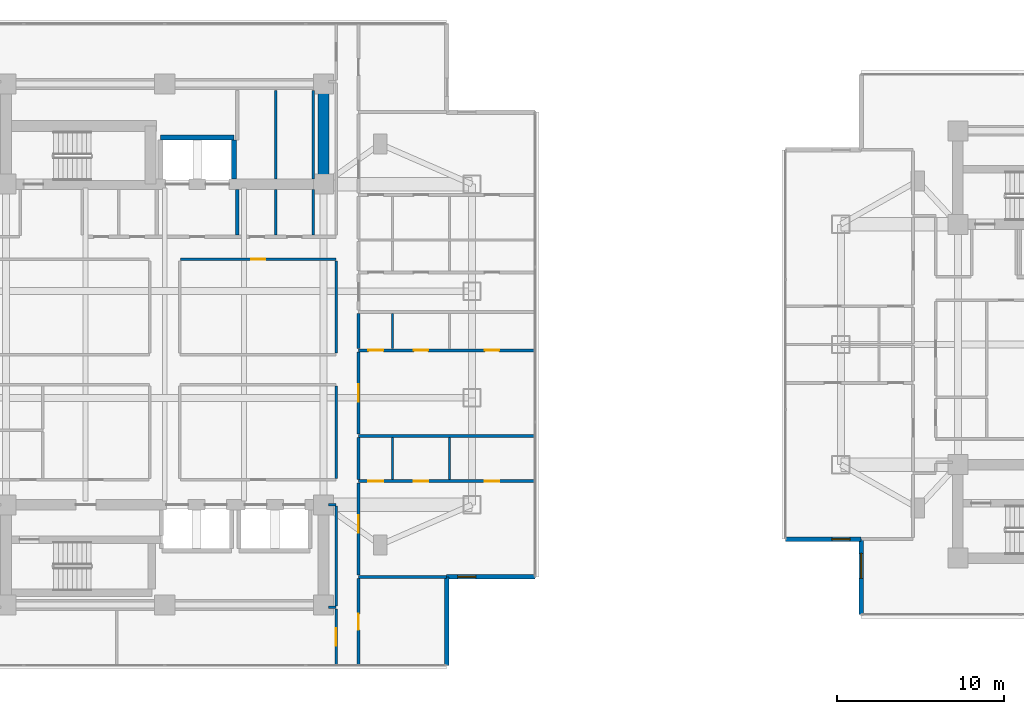
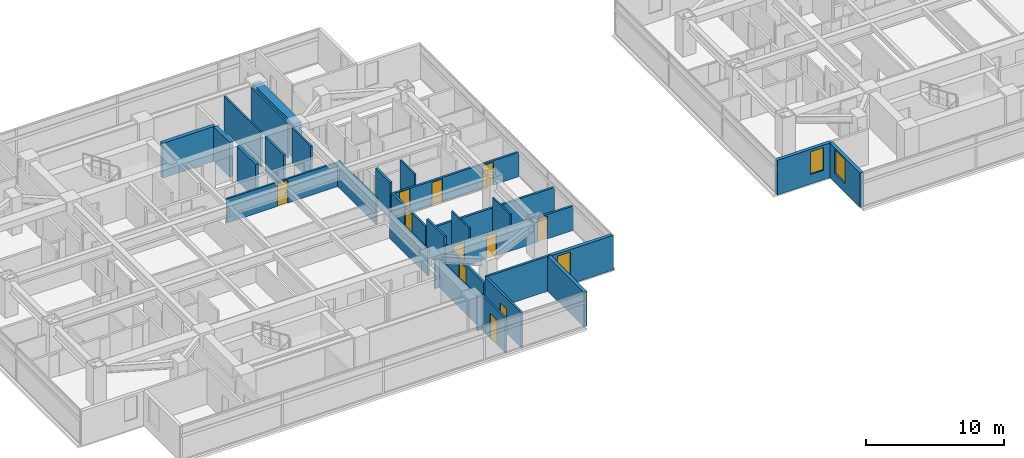
# One storey, part 15 of 25: 31 walls, 11 doors, 3 windows, 14 openings.
"""IFC4 building model written with IfcOpenShell, lengths in metres."""

from ifc_helpers import new_model, si_unit, direction, frame, frame_2d, origin, place, context, subcontext, project, spatial, rectangle, extrude, material, layer, layer_set, type_object, element, fill, save


model = new_model("IFC4")

# Units and contexts
model_context = context("Model", 3, precision=1e-05, world=origin(), true_north=direction((0.0, 1.0)))
body_context = subcontext(model_context, "Body", "Model", "MODEL_VIEW")
ifc_project = project(units=[si_unit("LENGTHUNIT", "METRE"), si_unit("AREAUNIT", "SQUARE_METRE"), si_unit("VOLUMEUNIT", "CUBIC_METRE"), si_unit("PLANEANGLEUNIT", "RADIAN"), si_unit("MASSUNIT", "GRAM", prefix="KILO")], contexts=[model_context])

# Site, building, storey
site_placement = place(None, origin())
site = spatial("IfcSite", under=ifc_project, at=site_placement, CompositionType="ELEMENT")
building_placement = place(site_placement, origin())
building = spatial("IfcBuilding", under=site, at=building_placement, Name="Mirazonda Arch Towers", CompositionType="ELEMENT")
storey_placement = place(building_placement, frame((0.0, 0.0, 111.5)))
storey = spatial("IfcBuildingStorey", under=building, at=storey_placement, Name="L31", CompositionType="ELEMENT", Elevation=111.5)

# Wall
ifc_material_1 = material(Name="Concrete C60/75", Category="concrete")
ifc_layer_1 = layer(ifc_material_1, 0.64990234375, Name="WALL-CORE-650")
ifc_layer_set_1 = layer_set([ifc_layer_1], Name="Concrete C60/75")
wall_type_1 = type_object("IfcWallType", Name="WALL-CORE-650", PredefinedType="SHEAR", material=ifc_layer_set_1)
wall_1_placement = place(storey_placement, frame((30.0, 37.60009765625, 0.0), z_axis=(0.0, 0.0, 1.0), x_axis=(0.0, 1.0, 0.0)))
element("IfcWall", 1, at=wall_1_placement, inside=storey, type_object=wall_type_1, Name="L31 T1N-E Core Shear Wall", PredefinedType="SHEAR", context=body_context, shape_type="SweptSolid", body=[
    extrude(rectangle(XDim=6.0, YDim=0.64990234375, at=frame_2d((3.0, 0.0))), origin(), (0.0, 0.0, 1.0), 3.080078125),
])

# Wall, opening, window
ifc_material_2 = material(Name="Precast Concrete C40/50", Category="concrete")
ifc_layer_2 = layer(ifc_material_2, 0.280029296875, Name="WALL-EXT-WALL-280")
ifc_layer_set_2 = layer_set([ifc_layer_2], Name="Precast Concrete C40/50")
wall_type_2 = type_object("IfcWallType", Name="WALL-EXT-WALL-280", PredefinedType="SOLIDWALL", material=ifc_layer_set_2)
wall_2_placement = place(storey_placement, frame((37.385009765625, 14.089111328125, 0.0), z_axis=(0.0, 0.0, 1.0), x_axis=(1.0, 0.0, 0.0)))
wall_2 = element("IfcWall", 2, at=wall_2_placement, inside=storey, type_object=wall_type_2, Name="L31 T1 Corner Notch Return Wall WL-L31-T1-CSE1", PredefinedType="SOLIDWALL", context=body_context, shape_type="SweptSolid", body=[
    extrude(rectangle(XDim=5.304931640625, YDim=0.280029296875, at=frame_2d((2.65234375, 0.0))), origin(), (0.0, 0.0, 1.0), 3.06005859375),
])
opening_1_placement = place(wall_2_placement, frame((0.64990234375, 0.0, 0.85009765625)))
opening_1 = element("IfcOpeningElement", 3, at=opening_1_placement, cuts=wall_2, Name="Opening WN-108", PredefinedType="OPENING", context=body_context, shape_type="SweptSolid", body=[
    extrude(rectangle(XDim=1.10009765625, YDim=2.0, at=frame_2d((0.550048828125, 1.0))), frame((0.0, 0.14990234375, 0.0), z_axis=(0.0, -1.0, 0.0), x_axis=(1.0, 0.0, 0.0)), (0.0, 0.0, 1.0), 0.300048828125),
])
ifc_material_3 = material(Name="Insulated Low-E Solar Glass", Category="glass")
window_type_1 = type_object("IfcWindowType", Name="WIN-NOTCH-1100x2000", PartitioningType="SINGLE_PANEL", PredefinedType="WINDOW", material=ifc_material_3)
window_1_placement = place(opening_1_placement, origin())
window_1 = element("IfcWindow", 4, at=window_1_placement, inside=storey, type_object=window_type_1, Name="L31 Punched Facade Window WN-L31-T1-CSE1", OverallHeight=2.0, OverallWidth=1.10009765625, PartitioningType="SINGLE_PANEL", PredefinedType="WINDOW", context=body_context, shape_type="SweptSolid", body=[
    extrude(rectangle(XDim=1.10009765625, YDim=2.0, at=frame_2d((0.550048828125, 1.0))), frame((0.0, 0.030029296875, 0.0), z_axis=(0.0, -1.0, 0.0), x_axis=(1.0, 0.0, 0.0)), (0.0, 0.0, 1.0), 0.06005859375),
])
fill(opening_1, window_1)

# Wall
wall_3_placement = place(storey_placement, frame((37.385009765625, 8.783935546875, 0.0), z_axis=(0.0, 0.0, 1.0), x_axis=(0.0, 1.0, 0.0)))
element("IfcWall", 5, at=wall_3_placement, inside=storey, type_object=wall_type_2, Name="L31 T1 Corner Notch Return Wall WL-L31-T1-CSE2", PredefinedType="SOLIDWALL", context=body_context, shape_type="SweptSolid", body=[
    extrude(rectangle(XDim=5.30517578125, YDim=0.280029296875, at=frame_2d((2.652587890625, 0.0))), origin(), (0.0, 0.0, 1.0), 3.06005859375),
])

# Wall, opening, window
wall_4_placement = place(storey_placement, frame((62.207763671875, 16.335693359375, 0.0), z_axis=(0.0, 0.0, 1.0), x_axis=(0.0, -1.0, 0.0)))
wall_4 = element("IfcWall", 6, at=wall_4_placement, inside=storey, type_object=wall_type_2, Name="L31 T2 Notched SW Corner Wall WL-L31-T2-CSW", PredefinedType="SOLIDWALL", context=body_context, shape_type="SweptSolid", body=[
    extrude(rectangle(XDim=4.516357421875, YDim=0.280029296875, at=frame_2d((2.25830078125, 0.0))), origin(), (0.0, 0.0, 1.0), 3.06005859375),
])
opening_2_placement = place(wall_4_placement, frame((0.85009765625, 0.0, 0.81005859375)))
opening_2 = element("IfcOpeningElement", 7, at=opening_2_placement, cuts=wall_4, Name="Opening WN-120", PredefinedType="OPENING", context=body_context, shape_type="SweptSolid", body=[
    extrude(rectangle(XDim=1.5, YDim=2.10009765625, at=frame_2d((0.75, 1.050048828125))), frame((0.0, 0.14990234375, 0.0), z_axis=(0.0, -1.0, 0.0), x_axis=(1.0, 0.0, 0.0)), (0.0, 0.0, 1.0), 0.300048828125),
])
window_type_2 = type_object("IfcWindowType", Name="WIN-HTL-1500x2100", PartitioningType="SINGLE_PANEL", PredefinedType="WINDOW", material=ifc_material_3)
window_2_placement = place(opening_2_placement, origin())
window_2 = element("IfcWindow", 8, at=window_2_placement, inside=storey, type_object=window_type_2, Name="L31 Punched Facade Window WN-L31-T2-CSW", OverallHeight=2.10009765625, OverallWidth=1.5, PartitioningType="SINGLE_PANEL", PredefinedType="WINDOW", context=body_context, shape_type="SweptSolid", body=[
    extrude(rectangle(XDim=1.5, YDim=2.10009765625, at=frame_2d((0.75, 1.050048828125))), frame((0.0, 0.030029296875, 0.0), z_axis=(0.0, -1.0, 0.0), x_axis=(1.0, 0.0, 0.0)), (0.0, 0.0, 1.0), 0.06005859375),
])
fill(opening_2, window_2)

wall_5_placement = place(storey_placement, frame((57.69140625, 16.335693359375, 0.0), z_axis=(0.0, 0.0, 1.0), x_axis=(1.0, 0.0, 0.0)))
wall_5 = element("IfcWall", 9, at=wall_5_placement, inside=storey, type_object=wall_type_2, Name="L31 T2 Corner Notch Return Wall WL-L31-T2-CSW2", PredefinedType="SOLIDWALL", context=body_context, shape_type="SweptSolid", body=[
    extrude(rectangle(XDim=4.516357421875, YDim=0.280029296875, at=frame_2d((2.25830078125, 0.0))), origin(), (0.0, 0.0, 1.0), 3.06005859375),
])
opening_3_placement = place(wall_5_placement, frame((2.76611328125, 0.0, 0.85009765625)))
opening_3 = element("IfcOpeningElement", 10, at=opening_3_placement, cuts=wall_5, Name="Opening WN-108", PredefinedType="OPENING", context=body_context, shape_type="SweptSolid", body=[
    extrude(rectangle(XDim=1.10009765625, YDim=2.0, at=frame_2d((0.550048828125, 1.0))), frame((0.0, 0.14990234375, 0.0), z_axis=(0.0, -1.0, 0.0), x_axis=(1.0, 0.0, 0.0)), (0.0, 0.0, 1.0), 0.300048828125),
])
window_3_placement = place(opening_3_placement, origin())
window_3 = element("IfcWindow", 11, at=window_3_placement, inside=storey, type_object=window_type_1, Name="L31 Punched Facade Window WN-L31-T2-CSW2", OverallHeight=2.0, OverallWidth=1.10009765625, PartitioningType="SINGLE_PANEL", PredefinedType="WINDOW", context=body_context, shape_type="SweptSolid", body=[
    extrude(rectangle(XDim=1.10009765625, YDim=2.0, at=frame_2d((0.550048828125, 1.0))), frame((0.0, 0.030029296875, 0.0), z_axis=(0.0, -1.0, 0.0), x_axis=(1.0, 0.0, 0.0)), (0.0, 0.0, 1.0), 0.06005859375),
])
fill(opening_3, window_3)

# Walls
ifc_material_4 = material(Name="Concrete C40/50", Category="concrete")
ifc_layer_3 = layer(ifc_material_4, 0.219970703125, Name="WALL-FFL-220")
ifc_layer_set_3 = layer_set([ifc_layer_3], Name="Concrete C40/50")
wall_type_3 = type_object("IfcWallType", Name="WALL-FFL-220", PredefinedType="SOLIDWALL", material=ifc_layer_set_3)
wall_6_placement = place(storey_placement, frame((24.85009765625, 34.570068359375, 0.0), z_axis=(0.0, 0.0, 1.0), x_axis=(0.0, 1.0, 0.0)))
element("IfcWall", 12, at=wall_6_placement, inside=storey, type_object=wall_type_3, Name="L31 Interior Partition 103", PredefinedType="SOLIDWALL", context=body_context, shape_type="SweptSolid", body=[
    extrude(rectangle(XDim=2.7099609375, YDim=0.219970703125, at=frame_2d((1.35498046875, 0.0))), origin(), (0.0, 0.0, 1.0), 3.080078125),
])
ifc_material_5 = material(Name="Fire-Rated Gypsum Stud Partition")
ifc_layer_4 = layer(ifc_material_5, 0.14990234375, Name="WALL-PART-CORR-150")
ifc_layer_set_4 = layer_set([ifc_layer_4], Name="Fire-Rated Gypsum Stud Partition")
wall_type_4 = type_object("IfcWallType", Name="WALL-PART-CORR-150", PredefinedType="PARTITIONING", material=ifc_layer_set_4)
wall_7_placement = place(storey_placement, frame((30.320068359375, 12.25, 0.0), z_axis=(0.0, 0.0, 1.0), x_axis=(1.0, 0.0, 0.0)))
element("IfcWall", 13, at=wall_7_placement, inside=storey, type_object=wall_type_4, Name="L31 Interior Partition 002", PredefinedType="PARTITIONING", context=body_context, shape_type="SweptSolid", body=[
    extrude(rectangle(XDim=0.43994140625, YDim=0.14990234375, at=frame_2d((0.219970703125, 0.0))), origin(), (0.0, 0.0, 1.0), 3.080078125),
])
wall_8_placement = place(storey_placement, frame((30.320068359375, 18.39990234375, 0.0), z_axis=(0.0, 0.0, 1.0), x_axis=(1.0, 0.0, 0.0)))
element("IfcWall", 14, at=wall_8_placement, inside=storey, type_object=wall_type_4, Name="L31 Interior Partition 013", PredefinedType="PARTITIONING", context=body_context, shape_type="SweptSolid", body=[
    extrude(rectangle(XDim=0.43994140625, YDim=0.14990234375, at=frame_2d((0.219970703125, 0.0))), origin(), (0.0, 0.0, 1.0), 2.4560546875),
])

# Wall, opening, door
wall_9_placement = place(storey_placement, frame((21.43994140625, 33.10009765625, 0.0), z_axis=(0.0, 0.0, 1.0), x_axis=(1.0, 0.0, 0.0)))
wall_9 = element("IfcWall", 15, at=wall_9_placement, inside=storey, type_object=wall_type_4, Name="L31 Interior Partition 049", PredefinedType="PARTITIONING", context=body_context, shape_type="SweptSolid", body=[
    extrude(rectangle(XDim=9.320068359375, YDim=0.14990234375, at=frame_2d((4.66015625, 0.0))), origin(), (0.0, 0.0, 1.0), 2.1240234375),
])
opening_4_placement = place(wall_9_placement, frame((4.235107421875, 0.0, 0.0)))
opening_4 = element("IfcOpeningElement", 16, at=opening_4_placement, cuts=wall_9, Name="Opening DR-128", PredefinedType="OPENING", context=body_context, shape_type="SweptSolid", body=[
    extrude(rectangle(XDim=0.85009765625, YDim=2.010009765625, at=frame_2d((0.425048828125, 1.0048828125))), frame((0.0, 0.0849609375, 0.0), z_axis=(0.0, -1.0, 0.0), x_axis=(1.0, 0.0, 0.0)), (0.0, 0.0, 1.0), 0.169921875),
])
ifc_material_6 = material(Name="Architectural Brushed Steel S355", Category="steel")
door_type_1 = type_object("IfcDoorType", Name="DOOR-RISER-FD60-850", OperationType="NOTDEFINED", PredefinedType="DOOR", material=ifc_material_6)
door_1_placement = place(opening_4_placement, origin())
door_1 = element("IfcDoor", 17, at=door_1_placement, inside=storey, type_object=door_type_1, Name="L31 L31 North-East Cruciform Study Door", OperationType="SINGLE_SWING_LEFT", OverallHeight=2.010009765625, OverallWidth=0.85009765625, PredefinedType="DOOR", context=body_context, shape_type="SweptSolid", body=[
    extrude(rectangle(XDim=0.85009765625, YDim=2.010009765625, at=frame_2d((0.425048828125, 1.0048828125))), frame((0.0, 0.02490234375, 0.0), z_axis=(0.0, -1.0, 0.0), x_axis=(1.0, 0.0, 0.0)), (0.0, 0.0, 1.0), 0.050048828125),
])
fill(opening_4, door_1)

# Walls
wall_10_placement = place(storey_placement, frame((27.14990234375, 34.570068359375, 0.0), z_axis=(0.0, 0.0, 1.0), x_axis=(0.0, 1.0, 0.0)))
element("IfcWall", 18, at=wall_10_placement, inside=storey, type_object=wall_type_4, Name="L31 Interior Partition 105", PredefinedType="PARTITIONING", context=body_context, shape_type="SweptSolid", body=[
    extrude(rectangle(XDim=2.7099609375, YDim=0.14990234375, at=frame_2d((1.35498046875, 0.0))), origin(), (0.0, 0.0, 1.0), 3.080078125),
])
wall_11_placement = place(storey_placement, frame((27.14990234375, 37.919921875, 0.0), z_axis=(0.0, 0.0, 1.0), x_axis=(0.0, 1.0, 0.0)))
element("IfcWall", 19, at=wall_11_placement, inside=storey, type_object=wall_type_4, Name="L31 Interior Partition 106", PredefinedType="PARTITIONING", context=body_context, shape_type="SweptSolid", body=[
    extrude(rectangle(XDim=5.280029296875, YDim=0.14990234375, at=frame_2d((2.64013671875, 0.0))), origin(), (0.0, 0.0, 1.0), 3.080078125),
])
wall_12_placement = place(storey_placement, frame((29.39990234375, 34.570068359375, 0.0), z_axis=(0.0, 0.0, 1.0), x_axis=(0.0, 1.0, 0.0)))
element("IfcWall", 20, at=wall_12_placement, inside=storey, type_object=wall_type_4, Name="L31 Interior Partition 108", PredefinedType="PARTITIONING", context=body_context, shape_type="SweptSolid", body=[
    extrude(rectangle(XDim=2.7099609375, YDim=0.14990234375, at=frame_2d((1.35498046875, 0.0))), origin(), (0.0, 0.0, 1.0), 3.080078125),
])
wall_13_placement = place(storey_placement, frame((29.39990234375, 37.919921875, 0.0), z_axis=(0.0, 0.0, 1.0), x_axis=(0.0, 1.0, 0.0)))
element("IfcWall", 21, at=wall_13_placement, inside=storey, type_object=wall_type_4, Name="L31 Interior Partition 109", PredefinedType="PARTITIONING", context=body_context, shape_type="SweptSolid", body=[
    extrude(rectangle(XDim=5.280029296875, YDim=0.14990234375, at=frame_2d((2.64013671875, 0.0))), origin(), (0.0, 0.0, 1.0), 3.080078125),
])

# Wall, opening, door
wall_14_placement = place(storey_placement, frame((30.760009765625, 8.783935546875, 0.0), z_axis=(0.0, 0.0, 1.0), x_axis=(0.0, 1.0, 0.0)))
wall_14 = element("IfcWall", 22, at=wall_14_placement, inside=storey, type_object=wall_type_4, Name="L31 Interior Partition 110", PredefinedType="PARTITIONING", context=body_context, shape_type="SweptSolid", body=[
    extrude(rectangle(XDim=3.381103515625, YDim=0.14990234375, at=frame_2d((1.6904296875, 0.0))), origin(), (0.0, 0.0, 1.0), 3.080078125),
])
opening_5_placement = place(wall_14_placement, frame((1.16552734375, 0.0, 0.0)))
opening_5 = element("IfcOpeningElement", 23, at=opening_5_placement, cuts=wall_14, Name="Opening DR-121", PredefinedType="OPENING", context=body_context, shape_type="SweptSolid", body=[
    extrude(rectangle(XDim=1.050048828125, YDim=2.199951171875, at=frame_2d((0.52490234375, 1.10009765625))), frame((0.0, 0.0849609375, 0.0), z_axis=(0.0, -1.0, 0.0), x_axis=(1.0, 0.0, 0.0)), (0.0, 0.0, 1.0), 0.169921875),
])
door_type_2 = type_object("IfcDoorType", Name="DOOR-SUITE-FD60-1050", OperationType="NOTDEFINED", PredefinedType="DOOR", material=ifc_material_6)
door_2_placement = place(opening_5_placement, origin())
door_2 = element("IfcDoor", 24, at=door_2_placement, inside=storey, type_object=door_type_2, Name="L31 South Panoramic Study Grand Door", OperationType="SINGLE_SWING_LEFT", OverallHeight=2.199951171875, OverallWidth=1.050048828125, PredefinedType="DOOR", context=body_context, shape_type="SweptSolid", body=[
    extrude(rectangle(XDim=1.050048828125, YDim=2.199951171875, at=frame_2d((0.52490234375, 1.10009765625))), frame((0.0, 0.02490234375, 0.0), z_axis=(0.0, -1.0, 0.0), x_axis=(1.0, 0.0, 0.0)), (0.0, 0.0, 1.0), 0.050048828125),
])
fill(opening_5, door_2)

# Walls
wall_15_placement = place(storey_placement, frame((30.760009765625, 12.3349609375, 0.0), z_axis=(0.0, 0.0, 1.0), x_axis=(0.0, 1.0, 0.0)))
element("IfcWall", 25, at=wall_15_placement, inside=storey, type_object=wall_type_4, Name="L31 Interior Partition 111", PredefinedType="PARTITIONING", context=body_context, shape_type="SweptSolid", body=[
    extrude(rectangle(XDim=5.97998046875, YDim=0.14990234375, at=frame_2d((2.989990234375, 0.0))), origin(), (0.0, 0.0, 1.0), 2.4560546875),
])
for number, where, z_axis, x_axis, name in (
    (26, (30.760009765625, 19.985107421875, 0.0), (0.0, 0.0, 1.0), (0.0, 1.0, 0.0), "L31 Interior Partition 112"),
    (27, (30.760009765625, 27.485107421875, 0.0), (0.0, 0.0, 1.0), (0.0, 1.0, 0.0), "L31 Interior Partition 113"),
):
    element("IfcWall", number, at=place(storey_placement, frame(where, z_axis=z_axis, x_axis=x_axis)), inside=storey, type_object=wall_type_4, Name=name, PredefinedType="PARTITIONING", context=body_context, shape_type="SweptSolid", body=[
        extrude(rectangle(XDim=5.52978515625, YDim=0.14990234375, at=frame_2d((2.764892578125, 0.0))), origin(), (0.0, 0.0, 1.0), 2.299072265625),
    ])
ifc_material_7 = material(Name="Fire-Rated Gypsum Twin-Stud Assembly")
ifc_layer_5 = layer(ifc_material_7, 0.179931640625, Name="WALL-PART-DEMISE-180")
ifc_layer_set_5 = layer_set([ifc_layer_5], Name="Fire-Rated Gypsum Twin-Stud Assembly")
wall_type_5 = type_object("IfcWallType", Name="WALL-PART-DEMISE-180", PredefinedType="PARTITIONING", material=ifc_layer_set_5)
wall_16_placement = place(storey_placement, frame((32.10009765625, 14.089111328125, 0.0), z_axis=(0.0, 0.0, 1.0), x_axis=(1.0, 0.0, 0.0)))
element("IfcWall", 28, at=wall_16_placement, inside=storey, type_object=wall_type_5, Name="L31 Interior Partition 005", PredefinedType="PARTITIONING", context=body_context, shape_type="SweptSolid", body=[
    extrude(rectangle(XDim=5.264892578125, YDim=0.179931640625, at=frame_2d((2.63232421875, 0.0))), origin(), (0.0, 0.0, 1.0), 3.080078125),
])

# Wall, openings, doors
wall_17_placement = place(storey_placement, frame((32.10009765625, 19.81396484375, 0.0), z_axis=(0.0, 0.0, 1.0), x_axis=(1.0, 0.0, 0.0)))
wall_17 = element("IfcWall", 29, at=wall_17_placement, inside=storey, type_object=wall_type_5, Name="L31 Interior Partition 017", PredefinedType="PARTITIONING", context=body_context, shape_type="SweptSolid", body=[
    extrude(rectangle(XDim=10.58984375, YDim=0.179931640625, at=frame_2d((5.294921875, 0.0))), origin(), (0.0, 0.0, 1.0), 2.14501953125),
])
opening_6_placement = place(wall_17_placement, frame((7.580078125, 0.0, 0.0)))
opening_6 = element("IfcOpeningElement", 30, at=opening_6_placement, cuts=wall_17, Name="Opening DR-128", PredefinedType="OPENING", context=body_context, shape_type="SweptSolid", body=[
    extrude(rectangle(XDim=0.85009765625, YDim=2.010009765625, at=frame_2d((0.425048828125, 1.0048828125))), frame((0.0, 0.099853515625, 0.0), z_axis=(0.0, -1.0, 0.0), x_axis=(1.0, 0.0, 0.0)), (0.0, 0.0, 1.0), 0.199951171875),
])
opening_7_placement = place(wall_17_placement, frame((3.324951171875, 0.0, 0.0)))
opening_7 = element("IfcOpeningElement", 31, at=opening_7_placement, cuts=wall_17, Name="Opening DR-128", PredefinedType="OPENING", context=body_context, shape_type="SweptSolid", body=[
    extrude(rectangle(XDim=0.85009765625, YDim=2.010009765625, at=frame_2d((0.425048828125, 1.0048828125))), frame((0.0, 0.099853515625, 0.0), z_axis=(0.0, -1.0, 0.0), x_axis=(1.0, 0.0, 0.0)), (0.0, 0.0, 1.0), 0.199951171875),
])
opening_8_placement = place(wall_17_placement, frame((0.590087890625, 0.0, 0.0)))
opening_8 = element("IfcOpeningElement", 32, at=opening_8_placement, cuts=wall_17, Name="Opening DR-120", PredefinedType="OPENING", context=body_context, shape_type="SweptSolid", body=[
    extrude(rectangle(XDim=0.89990234375, YDim=2.10009765625, at=frame_2d((0.449951171875, 1.050048828125))), frame((0.0, 0.099853515625, 0.0), z_axis=(0.0, -1.0, 0.0), x_axis=(1.0, 0.0, 0.0)), (0.0, 0.0, 1.0), 0.199951171875),
])
door_3_placement = place(opening_6_placement, origin())
door_3 = element("IfcDoor", 33, at=door_3_placement, inside=storey, type_object=door_type_1, Name="L31 Residence 1 Principal Bedroom Door", OperationType="SINGLE_SWING_LEFT", OverallHeight=2.010009765625, OverallWidth=0.85009765625, PredefinedType="DOOR", context=body_context, shape_type="SweptSolid", body=[
    extrude(rectangle(XDim=0.85009765625, YDim=2.010009765625, at=frame_2d((0.425048828125, 1.0048828125))), frame((0.0, 0.02490234375, 0.0), z_axis=(0.0, -1.0, 0.0), x_axis=(1.0, 0.0, 0.0)), (0.0, 0.0, 1.0), 0.050048828125),
])
fill(opening_6, door_3)
door_4_placement = place(opening_7_placement, origin())
door_4 = element("IfcDoor", 34, at=door_4_placement, inside=storey, type_object=door_type_1, Name="L31 Residence 1 Fitted Kitchen Door", OperationType="SINGLE_SWING_RIGHT", OverallHeight=2.010009765625, OverallWidth=0.85009765625, PredefinedType="DOOR", context=body_context, shape_type="SweptSolid", body=[
    extrude(rectangle(XDim=0.85009765625, YDim=2.010009765625, at=frame_2d((0.425048828125, 1.0048828125))), frame((0.0, 0.02490234375, 0.0), z_axis=(0.0, -1.0, 0.0), x_axis=(1.0, 0.0, 0.0)), (0.0, 0.0, 1.0), 0.050048828125),
])
fill(opening_7, door_4)
door_type_3 = type_object("IfcDoorType", Name="DOOR-WC-900", OperationType="NOTDEFINED", PredefinedType="DOOR", material=ifc_material_6)
door_5_placement = place(opening_8_placement, origin())
door_5 = element("IfcDoor", 35, at=door_5_placement, inside=storey, type_object=door_type_3, Name="L31 Residence 1 Bathroom Door", OperationType="SINGLE_SWING_LEFT", OverallHeight=2.10009765625, OverallWidth=0.89990234375, PredefinedType="DOOR", context=body_context, shape_type="SweptSolid", body=[
    extrude(rectangle(XDim=0.89990234375, YDim=2.10009765625, at=frame_2d((0.449951171875, 1.050048828125))), frame((0.0, 0.02490234375, 0.0), z_axis=(0.0, -1.0, 0.0), x_axis=(1.0, 0.0, 0.0)), (0.0, 0.0, 1.0), 0.050048828125),
])
fill(opening_8, door_5)

# Wall
wall_18_placement = place(storey_placement, frame((32.10009765625, 22.533935546875, 0.0), z_axis=(0.0, 0.0, 1.0), x_axis=(1.0, 0.0, 0.0)))
element("IfcWall", 36, at=wall_18_placement, inside=storey, type_object=wall_type_5, Name="L31 Interior Partition 023", PredefinedType="PARTITIONING", context=body_context, shape_type="SweptSolid", body=[
    extrude(rectangle(XDim=10.58984375, YDim=0.179931640625, at=frame_2d((5.294921875, 0.0))), origin(), (0.0, 0.0, 1.0), 2.14501953125),
])

# Wall, openings, doors
wall_19_placement = place(storey_placement, frame((32.10009765625, 27.652099609375, 0.0), z_axis=(0.0, 0.0, 1.0), x_axis=(1.0, 0.0, 0.0)))
wall_19 = element("IfcWall", 37, at=wall_19_placement, inside=storey, type_object=wall_type_5, Name="L31 Interior Partition 036", PredefinedType="PARTITIONING", context=body_context, shape_type="SweptSolid", body=[
    extrude(rectangle(XDim=10.58984375, YDim=0.179931640625, at=frame_2d((5.294921875, 0.0))), origin(), (0.0, 0.0, 1.0), 2.14501953125),
])
opening_9_placement = place(wall_19_placement, frame((7.580078125, 0.0, 0.0)))
opening_9 = element("IfcOpeningElement", 38, at=opening_9_placement, cuts=wall_19, Name="Opening DR-128", PredefinedType="OPENING", context=body_context, shape_type="SweptSolid", body=[
    extrude(rectangle(XDim=0.85009765625, YDim=2.010009765625, at=frame_2d((0.425048828125, 1.0048828125))), frame((0.0, 0.099853515625, 0.0), z_axis=(0.0, -1.0, 0.0), x_axis=(1.0, 0.0, 0.0)), (0.0, 0.0, 1.0), 0.199951171875),
])
opening_10_placement = place(wall_19_placement, frame((3.324951171875, 0.0, 0.0)))
opening_10 = element("IfcOpeningElement", 39, at=opening_10_placement, cuts=wall_19, Name="Opening DR-128", PredefinedType="OPENING", context=body_context, shape_type="SweptSolid", body=[
    extrude(rectangle(XDim=0.85009765625, YDim=2.010009765625, at=frame_2d((0.425048828125, 1.0048828125))), frame((0.0, 0.099853515625, 0.0), z_axis=(0.0, -1.0, 0.0), x_axis=(1.0, 0.0, 0.0)), (0.0, 0.0, 1.0), 0.199951171875),
])
opening_11_placement = place(wall_19_placement, frame((0.590087890625, 0.0, 0.0)))
opening_11 = element("IfcOpeningElement", 40, at=opening_11_placement, cuts=wall_19, Name="Opening DR-120", PredefinedType="OPENING", context=body_context, shape_type="SweptSolid", body=[
    extrude(rectangle(XDim=0.89990234375, YDim=2.10009765625, at=frame_2d((0.449951171875, 1.050048828125))), frame((0.0, 0.099853515625, 0.0), z_axis=(0.0, -1.0, 0.0), x_axis=(1.0, 0.0, 0.0)), (0.0, 0.0, 1.0), 0.199951171875),
])
door_6_placement = place(opening_9_placement, origin())
door_6 = element("IfcDoor", 41, at=door_6_placement, inside=storey, type_object=door_type_1, Name="L31 Residence 2 Principal Bedroom Door", OperationType="SINGLE_SWING_LEFT", OverallHeight=2.010009765625, OverallWidth=0.85009765625, PredefinedType="DOOR", context=body_context, shape_type="SweptSolid", body=[
    extrude(rectangle(XDim=0.85009765625, YDim=2.010009765625, at=frame_2d((0.425048828125, 1.0048828125))), frame((0.0, 0.02490234375, 0.0), z_axis=(0.0, -1.0, 0.0), x_axis=(1.0, 0.0, 0.0)), (0.0, 0.0, 1.0), 0.050048828125),
])
fill(opening_9, door_6)
door_7_placement = place(opening_10_placement, origin())
door_7 = element("IfcDoor", 42, at=door_7_placement, inside=storey, type_object=door_type_1, Name="L31 Residence 2 Fitted Kitchen Door", OperationType="SINGLE_SWING_RIGHT", OverallHeight=2.010009765625, OverallWidth=0.85009765625, PredefinedType="DOOR", context=body_context, shape_type="SweptSolid", body=[
    extrude(rectangle(XDim=0.85009765625, YDim=2.010009765625, at=frame_2d((0.425048828125, 1.0048828125))), frame((0.0, 0.02490234375, 0.0), z_axis=(0.0, -1.0, 0.0), x_axis=(1.0, 0.0, 0.0)), (0.0, 0.0, 1.0), 0.050048828125),
])
fill(opening_10, door_7)
door_8_placement = place(opening_11_placement, origin())
door_8 = element("IfcDoor", 43, at=door_8_placement, inside=storey, type_object=door_type_3, Name="L31 Residence 2 Bathroom Door", OperationType="SINGLE_SWING_LEFT", OverallHeight=2.10009765625, OverallWidth=0.89990234375, PredefinedType="DOOR", context=body_context, shape_type="SweptSolid", body=[
    extrude(rectangle(XDim=0.89990234375, YDim=2.10009765625, at=frame_2d((0.449951171875, 1.050048828125))), frame((0.0, 0.02490234375, 0.0), z_axis=(0.0, -1.0, 0.0), x_axis=(1.0, 0.0, 0.0)), (0.0, 0.0, 1.0), 0.050048828125),
])
fill(opening_11, door_8)

# Wall, opening, door
wall_20_placement = place(storey_placement, frame((32.10009765625, 8.783935546875, 0.0), z_axis=(0.0, 0.0, 1.0), x_axis=(0.0, 1.0, 0.0)))
wall_20 = element("IfcWall", 44, at=wall_20_placement, inside=storey, type_object=wall_type_5, Name="L31 Interior Partition 116", PredefinedType="PARTITIONING", context=body_context, shape_type="SweptSolid", body=[
    extrude(rectangle(XDim=5.205078125, YDim=0.179931640625, at=frame_2d((2.6025390625, 0.0))), origin(), (0.0, 0.0, 1.0), 3.080078125),
])
opening_12_placement = place(wall_20_placement, frame((2.12744140625, 0.0, 0.0)))
opening_12 = element("IfcOpeningElement", 45, at=opening_12_placement, cuts=wall_20, Name="Opening DR-104", PredefinedType="OPENING", context=body_context, shape_type="SweptSolid", body=[
    extrude(rectangle(XDim=0.949951171875, YDim=2.14990234375, at=frame_2d((0.47509765625, 1.074951171875))), frame((0.0, 0.099853515625, 0.0), z_axis=(0.0, -1.0, 0.0), x_axis=(1.0, 0.0, 0.0)), (0.0, 0.0, 1.0), 0.199951171875),
])
door_type_4 = type_object("IfcDoorType", Name="DOOR-ROOM-950", OperationType="NOTDEFINED", PredefinedType="DOOR", material=ifc_material_6)
door_9_placement = place(opening_12_placement, origin())
door_9 = element("IfcDoor", 46, at=door_9_placement, inside=storey, type_object=door_type_4, Name="L31 South Panoramic Study Alcove East Door", OperationType="SINGLE_SWING_LEFT", OverallHeight=2.14990234375, OverallWidth=0.949951171875, PredefinedType="DOOR", context=body_context, shape_type="SweptSolid", body=[
    extrude(rectangle(XDim=0.949951171875, YDim=2.14990234375, at=frame_2d((0.47509765625, 1.074951171875))), frame((0.0, 0.02490234375, 0.0), z_axis=(0.0, -1.0, 0.0), x_axis=(1.0, 0.0, 0.0)), (0.0, 0.0, 1.0), 0.050048828125),
])
fill(opening_12, door_9)

wall_21_placement = place(storey_placement, frame((32.10009765625, 14.18896484375, 0.0), z_axis=(0.0, 0.0, 1.0), x_axis=(0.0, 1.0, 0.0)))
wall_21 = element("IfcWall", 47, at=wall_21_placement, inside=storey, type_object=wall_type_5, Name="L31 Interior Partition 117", PredefinedType="PARTITIONING", context=body_context, shape_type="SweptSolid", body=[
    extrude(rectangle(XDim=5.525146484375, YDim=0.179931640625, at=frame_2d((2.7626953125, 0.0))), origin(), (0.0, 0.0, 1.0), 2.4560546875),
])
opening_13_placement = place(wall_21_placement, frame((2.53759765625, 0.0, 0.0)))
opening_13 = element("IfcOpeningElement", 48, at=opening_13_placement, cuts=wall_21, Name="Opening DR-121", PredefinedType="OPENING", context=body_context, shape_type="SweptSolid", body=[
    extrude(rectangle(XDim=1.050048828125, YDim=2.199951171875, at=frame_2d((0.52490234375, 1.10009765625))), frame((0.0, 0.099853515625, 0.0), z_axis=(0.0, -1.0, 0.0), x_axis=(1.0, 0.0, 0.0)), (0.0, 0.0, 1.0), 0.199951171875),
])
door_10_placement = place(opening_13_placement, origin())
door_10 = element("IfcDoor", 49, at=door_10_placement, inside=storey, type_object=door_type_2, Name="L31 Residence 1 Living & Dining Salon Door", OperationType="SINGLE_SWING_RIGHT", OverallHeight=2.199951171875, OverallWidth=1.050048828125, PredefinedType="DOOR", context=body_context, shape_type="SweptSolid", body=[
    extrude(rectangle(XDim=1.050048828125, YDim=2.199951171875, at=frame_2d((0.52490234375, 1.10009765625))), frame((0.0, 0.02490234375, 0.0), z_axis=(0.0, -1.0, 0.0), x_axis=(1.0, 0.0, 0.0)), (0.0, 0.0, 1.0), 0.050048828125),
])
fill(opening_13, door_10)

# Wall
wall_22_placement = place(storey_placement, frame((32.10009765625, 19.9140625, 0.0), z_axis=(0.0, 0.0, 1.0), x_axis=(0.0, 1.0, 0.0)))
element("IfcWall", 50, at=wall_22_placement, inside=storey, type_object=wall_type_5, Name="L31 Interior Partition 118", PredefinedType="PARTITIONING", context=body_context, shape_type="SweptSolid", body=[
    extrude(rectangle(XDim=2.52001953125, YDim=0.179931640625, at=frame_2d((1.260009765625, 0.0))), origin(), (0.0, 0.0, 1.0), 3.080078125),
])

# Wall, opening, door
wall_23_placement = place(storey_placement, frame((32.10009765625, 22.634033203125, 0.0), z_axis=(0.0, 0.0, 1.0), x_axis=(0.0, 1.0, 0.0)))
wall_23 = element("IfcWall", 51, at=wall_23_placement, inside=storey, type_object=wall_type_5, Name="L31 Interior Partition 119", PredefinedType="PARTITIONING", context=body_context, shape_type="SweptSolid", body=[
    extrude(rectangle(XDim=4.91796875, YDim=0.179931640625, at=frame_2d((2.458984375, 0.0))), origin(), (0.0, 0.0, 1.0), 2.299072265625),
])
opening_14_placement = place(wall_23_placement, frame((1.93408203125, 0.0, 0.0)))
opening_14 = element("IfcOpeningElement", 52, at=opening_14_placement, cuts=wall_23, Name="Opening DR-121", PredefinedType="OPENING", context=body_context, shape_type="SweptSolid", body=[
    extrude(rectangle(XDim=1.050048828125, YDim=2.199951171875, at=frame_2d((0.52490234375, 1.10009765625))), frame((0.0, 0.099853515625, 0.0), z_axis=(0.0, -1.0, 0.0), x_axis=(1.0, 0.0, 0.0)), (0.0, 0.0, 1.0), 0.199951171875),
])
door_11_placement = place(opening_14_placement, origin())
door_11 = element("IfcDoor", 53, at=door_11_placement, inside=storey, type_object=door_type_2, Name="L31 Residence 2 Living & Dining Salon Door", OperationType="SINGLE_SWING_RIGHT", OverallHeight=2.199951171875, OverallWidth=1.050048828125, PredefinedType="DOOR", context=body_context, shape_type="SweptSolid", body=[
    extrude(rectangle(XDim=1.050048828125, YDim=2.199951171875, at=frame_2d((0.52490234375, 1.10009765625))), frame((0.0, 0.02490234375, 0.0), z_axis=(0.0, -1.0, 0.0), x_axis=(1.0, 0.0, 0.0)), (0.0, 0.0, 1.0), 0.050048828125),
])
fill(opening_14, door_11)

# Walls
wall_24_placement = place(storey_placement, frame((32.10009765625, 27.751953125, 0.0), z_axis=(0.0, 0.0, 1.0), x_axis=(0.0, 1.0, 0.0)))
element("IfcWall", 54, at=wall_24_placement, inside=storey, type_object=wall_type_5, Name="L31 Interior Partition 120", PredefinedType="PARTITIONING", context=body_context, shape_type="SweptSolid", body=[
    extrude(rectangle(XDim=2.10009765625, YDim=0.179931640625, at=frame_2d((1.050048828125, 0.0))), origin(), (0.0, 0.0, 1.0), 3.080078125),
])
ifc_material_8 = material(Name="Acoustic Fire-Rated Gypsum Partition")
ifc_layer_6 = layer(ifc_material_8, 0.125, Name="WALL-PART-UNIT-125")
ifc_layer_set_6 = layer_set([ifc_layer_6], Name="Acoustic Fire-Rated Gypsum Partition")
wall_type_6 = type_object("IfcWallType", Name="WALL-PART-UNIT-125", PredefinedType="PARTITIONING", material=ifc_layer_set_6)
wall_25_placement = place(storey_placement, frame((34.139892578125, 19.9140625, 0.0), z_axis=(0.0, 0.0, 1.0), x_axis=(0.0, 1.0, 0.0)))
element("IfcWall", 55, at=wall_25_placement, inside=storey, type_object=wall_type_6, Name="L31 Interior Partition 126", PredefinedType="PARTITIONING", context=body_context, shape_type="SweptSolid", body=[
    extrude(rectangle(XDim=2.52001953125, YDim=0.125, at=frame_2d((1.260009765625, 0.0))), origin(), (0.0, 0.0, 1.0), 3.080078125),
])
wall_26_placement = place(storey_placement, frame((34.139892578125, 27.751953125, 0.0), z_axis=(0.0, 0.0, 1.0), x_axis=(0.0, 1.0, 0.0)))
element("IfcWall", 56, at=wall_26_placement, inside=storey, type_object=wall_type_6, Name="L31 Interior Partition 127", PredefinedType="PARTITIONING", context=body_context, shape_type="SweptSolid", body=[
    extrude(rectangle(XDim=2.10009765625, YDim=0.125, at=frame_2d((1.050048828125, 0.0))), origin(), (0.0, 0.0, 1.0), 3.080078125),
])
wall_27_placement = place(storey_placement, frame((37.56005859375, 19.9140625, 0.0), z_axis=(0.0, 0.0, 1.0), x_axis=(0.0, 1.0, 0.0)))
element("IfcWall", 57, at=wall_27_placement, inside=storey, type_object=wall_type_6, Name="L31 Interior Partition 130", PredefinedType="PARTITIONING", context=body_context, shape_type="SweptSolid", body=[
    extrude(rectangle(XDim=2.52001953125, YDim=0.125, at=frame_2d((1.260009765625, 0.0))), origin(), (0.0, 0.0, 1.0), 3.080078125),
])
ifc_material_9 = material(Name="Concrete C50/60", Category="concrete")
ifc_layer_7 = layer(ifc_material_9, 0.300048828125, Name="WALL-SHAFT-300")
ifc_layer_set_7 = layer_set([ifc_layer_7], Name="Concrete C50/60")
wall_type_7 = type_object("IfcWallType", Name="WALL-SHAFT-300", PredefinedType="SOLIDWALL", material=ifc_layer_set_7)
wall_28_placement = place(storey_placement, frame((20.25, 40.39990234375, 0.0), z_axis=(0.0, 0.0, 1.0), x_axis=(1.0, 0.0, 0.0)))
element("IfcWall", 58, at=wall_28_placement, inside=storey, type_object=wall_type_7, Name="L31 Interior Partition 061", PredefinedType="SOLIDWALL", context=body_context, shape_type="SweptSolid", body=[
    extrude(rectangle(XDim=4.39990234375, YDim=0.300048828125, at=frame_2d((2.199951171875, 0.0))), origin(), (0.0, 0.0, 1.0), 3.080078125),
])
wall_29_placement = place(storey_placement, frame((24.64990234375, 37.919921875, 0.0), z_axis=(0.0, 0.0, 1.0), x_axis=(0.0, 1.0, 0.0)))
element("IfcWall", 59, at=wall_29_placement, inside=storey, type_object=wall_type_7, Name="L31 Interior Partition 101", PredefinedType="SOLIDWALL", context=body_context, shape_type="SweptSolid", body=[
    extrude(rectangle(XDim=2.320068359375, YDim=0.300048828125, at=frame_2d((1.16015625, 0.0))), origin(), (0.0, 0.0, 1.0), 3.080078125),
])

save(model, "model.ifc")
